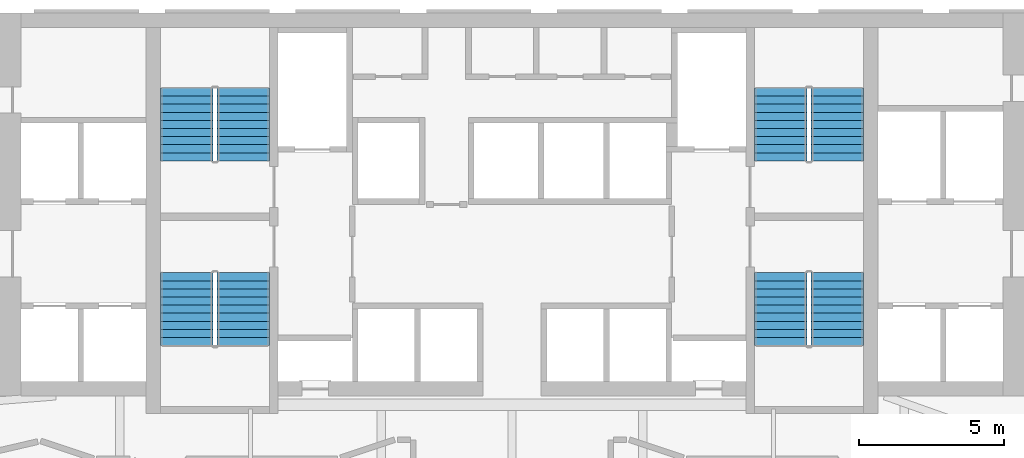
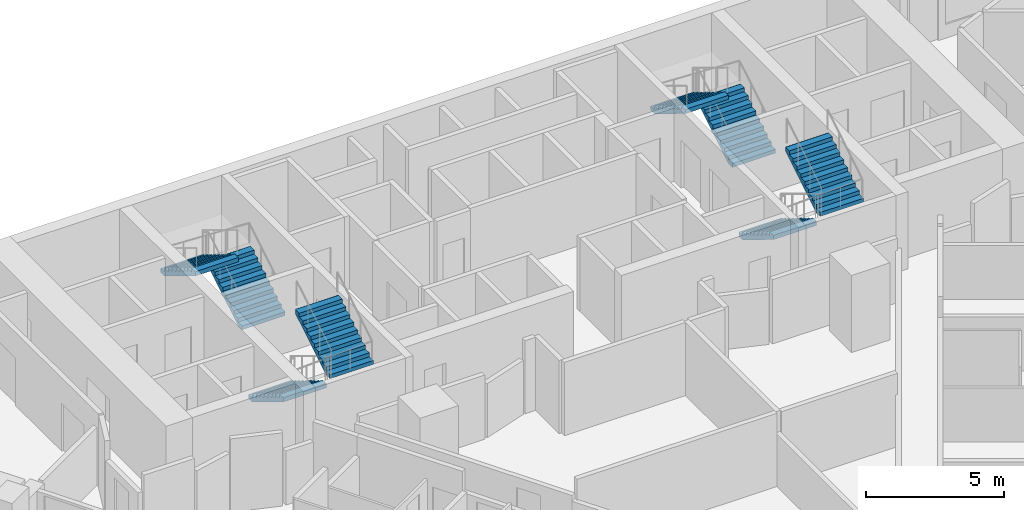
# One storey, part 10 of 11: 8 stair flights, 4 elements without a shape of their own.
"""IFC4 building model written with IfcOpenShell, lengths in metres."""

from ifc_helpers import new_model, si_unit, direction, frame, origin, place, context, subcontext, project, spatial, faceted_brep, source, transform, mapped, material, type_object, element, aggregate, save


model = new_model("IFC4")

# Units and contexts
model_context = context("Model", 3, precision=1e-05, world=origin(), true_north=direction((0.0, 1.0)))
body_context = subcontext(model_context, "Body", "Model", "MODEL_VIEW")
ifc_project = project(units=[si_unit("LENGTHUNIT", "METRE"), si_unit("AREAUNIT", "SQUARE_METRE"), si_unit("VOLUMEUNIT", "CUBIC_METRE"), si_unit("PLANEANGLEUNIT", "RADIAN"), si_unit("MASSUNIT", "GRAM", prefix="KILO")], contexts=[model_context])

# Site, building, storey
site_placement = place(None, origin())
site = spatial("IfcSite", under=ifc_project, at=site_placement, CompositionType="ELEMENT")
building_placement = place(site_placement, origin())
building = spatial("IfcBuilding", under=site, at=building_placement, Name="Calabash Gate Tower", CompositionType="ELEMENT")
storey_placement = place(building_placement, frame((0.0, 0.0, 49.39990234375)))
storey = spatial("IfcBuildingStorey", under=building, at=storey_placement, Name="L07", CompositionType="ELEMENT", Elevation=49.39990234375)

# Stair, stair flights
ifc_material_1 = material(Name="Concrete C40/50", Category="concrete")
stair_type = type_object("IfcStairType", Name="Exit stair 20 risers of 170 mm", PredefinedType="HALF_TURN_STAIR", material=ifc_material_1)
stair_1_placement = place(storey_placement, origin())
stair_1 = element("IfcStair", 1, at=stair_1_placement, inside=storey, type_object=stair_type, Name="L07 Exit stair ST1", PredefinedType="HALF_TURN_STAIR")
ifc_material_2 = material(Name="Concrete C40/50", Category="concrete")
stair_flight_type = type_object("IfcStairFlightType", Name="Exit stair flight SFL", PredefinedType="STRAIGHT", material=ifc_material_2)
shared_shape = source(origin(), body_context, "Body", "Brep", [
    faceted_brep([(-0.0009765625, -0.89990234375, 0.0), (0.2880859375, -0.89990234375, 0.0), (2.511962890625, -0.89990234375, 1.3544921875), (-0.0009765625, 0.89990234375, 0.0), (2.511962890625, 0.89990234375, 1.3544921875), (0.2880859375, 0.89990234375, 0.0), (2.511962890625, -0.89990234375, 1.5419921875), (2.510986328125, -0.89990234375, 1.5419921875), (2.510986328125, 0.89990234375, 1.5419921875), (2.511962890625, 0.89990234375, 1.5419921875), (2.510986328125, -0.89990234375, 1.530029296875), (2.510986328125, 0.89990234375, 1.530029296875), (2.23193359375, -0.89990234375, 1.530029296875), (2.23193359375, 0.89990234375, 1.530029296875), (2.23193359375, -0.89990234375, 1.360107421875), (2.23193359375, 0.89990234375, 1.360107421875), (1.952880859375, -0.89990234375, 1.360107421875), (1.952880859375, 0.89990234375, 1.360107421875), (1.952880859375, -0.89990234375, 1.18994140625), (1.952880859375, 0.89990234375, 1.18994140625), (1.674072265625, -0.89990234375, 1.18994140625), (1.674072265625, -0.89990234375, 1.02001953125), (1.674072265625, 0.89990234375, 1.02001953125), (1.674072265625, 0.89990234375, 1.18994140625), (1.39501953125, -0.89990234375, 1.02001953125), (1.39501953125, -0.89990234375, 0.85009765625), (1.39501953125, 0.89990234375, 0.85009765625), (1.39501953125, 0.89990234375, 1.02001953125), (1.115966796875, -0.89990234375, 0.85009765625), (1.115966796875, -0.89990234375, 0.679931640625), (1.115966796875, 0.89990234375, 0.679931640625), (1.115966796875, 0.89990234375, 0.85009765625), (0.8369140625, -0.89990234375, 0.679931640625), (0.8369140625, -0.89990234375, 0.510009765625), (0.8369140625, 0.89990234375, 0.510009765625), (0.8369140625, 0.89990234375, 0.679931640625), (0.55810546875, -0.89990234375, 0.510009765625), (0.55810546875, -0.89990234375, 0.340087890625), (0.55810546875, 0.89990234375, 0.340087890625), (0.55810546875, 0.89990234375, 0.510009765625), (0.279052734375, -0.89990234375, 0.340087890625), (0.279052734375, -0.89990234375, 0.169921875), (0.279052734375, 0.89990234375, 0.169921875), (0.279052734375, 0.89990234375, 0.340087890625), (-0.0009765625, -0.89990234375, 0.169921875), (-0.0009765625, 0.89990234375, 0.169921875), (0.2880859375, -0.360107421875, 0.0), (2.511962890625, -0.360107421875, 1.3544921875), (0.2880859375, -0.179931640625, 0.0), (2.511962890625, -0.179931640625, 1.3544921875), (0.2880859375, 0.0, 0.0), (2.511962890625, 0.0, 1.3544921875), (0.2880859375, 0.179931640625, 0.0), (2.511962890625, 0.179931640625, 1.3544921875), (0.2880859375, 0.360107421875, 0.0), (2.511962890625, 0.360107421875, 1.3544921875), (2.511962890625, -0.360107421875, 1.5419921875), (2.511962890625, -0.179931640625, 1.5419921875), (2.511962890625, 0.0, 1.5419921875), (2.511962890625, 0.179931640625, 1.5419921875), (2.511962890625, 0.360107421875, 1.5419921875), (2.510986328125, -0.360107421875, 1.5419921875), (2.510986328125, -0.179931640625, 1.5419921875), (2.510986328125, 0.0, 1.5419921875), (2.510986328125, 0.179931640625, 1.5419921875), (2.510986328125, 0.360107421875, 1.5419921875), (2.510986328125, -0.360107421875, 1.530029296875), (2.510986328125, -0.179931640625, 1.530029296875), (2.510986328125, 0.0, 1.530029296875), (2.510986328125, 0.179931640625, 1.530029296875), (2.510986328125, 0.360107421875, 1.530029296875), (2.23193359375, -0.360107421875, 1.530029296875), (2.23193359375, -0.179931640625, 1.530029296875), (2.23193359375, 0.0, 1.530029296875), (2.23193359375, 0.179931640625, 1.530029296875), (2.23193359375, 0.360107421875, 1.530029296875), (2.23193359375, -0.360107421875, 1.360107421875), (2.23193359375, -0.179931640625, 1.360107421875), (2.23193359375, 0.0, 1.360107421875), (2.23193359375, 0.179931640625, 1.360107421875), (2.23193359375, 0.360107421875, 1.360107421875), (1.952880859375, -0.360107421875, 1.360107421875), (1.952880859375, -0.179931640625, 1.360107421875), (1.952880859375, 0.0, 1.360107421875), (1.952880859375, 0.179931640625, 1.360107421875), (1.952880859375, 0.360107421875, 1.360107421875), (1.952880859375, -0.360107421875, 1.18994140625), (1.952880859375, -0.179931640625, 1.18994140625), (1.952880859375, 0.0, 1.18994140625), (1.952880859375, 0.179931640625, 1.18994140625), (1.952880859375, 0.360107421875, 1.18994140625), (1.674072265625, -0.360107421875, 1.18994140625), (1.674072265625, -0.179931640625, 1.18994140625), (1.674072265625, 0.0, 1.18994140625), (1.674072265625, 0.179931640625, 1.18994140625), (1.674072265625, 0.360107421875, 1.18994140625), (1.674072265625, -0.360107421875, 1.02001953125), (1.674072265625, -0.179931640625, 1.02001953125), (1.674072265625, 0.0, 1.02001953125), (1.674072265625, 0.179931640625, 1.02001953125), (1.674072265625, 0.360107421875, 1.02001953125), (1.39501953125, -0.360107421875, 1.02001953125), (1.39501953125, -0.179931640625, 1.02001953125), (1.39501953125, 0.0, 1.02001953125), (1.39501953125, 0.179931640625, 1.02001953125), (1.39501953125, 0.360107421875, 1.02001953125), (1.39501953125, -0.360107421875, 0.85009765625), (1.39501953125, -0.179931640625, 0.85009765625), (1.39501953125, 0.0, 0.85009765625), (1.39501953125, 0.179931640625, 0.85009765625), (1.39501953125, 0.360107421875, 0.85009765625), (1.115966796875, -0.360107421875, 0.85009765625), (1.115966796875, -0.179931640625, 0.85009765625), (1.115966796875, 0.0, 0.85009765625), (1.115966796875, 0.179931640625, 0.85009765625), (1.115966796875, 0.360107421875, 0.85009765625), (1.115966796875, -0.360107421875, 0.679931640625), (1.115966796875, -0.179931640625, 0.679931640625), (1.115966796875, 0.0, 0.679931640625), (1.115966796875, 0.179931640625, 0.679931640625), (1.115966796875, 0.360107421875, 0.679931640625), (0.8369140625, -0.360107421875, 0.679931640625), (0.8369140625, -0.179931640625, 0.679931640625), (0.8369140625, 0.0, 0.679931640625), (0.8369140625, 0.179931640625, 0.679931640625), (0.8369140625, 0.360107421875, 0.679931640625), (0.8369140625, -0.360107421875, 0.510009765625), (0.8369140625, -0.179931640625, 0.510009765625), (0.8369140625, 0.0, 0.510009765625), (0.8369140625, 0.179931640625, 0.510009765625), (0.8369140625, 0.360107421875, 0.510009765625), (0.55810546875, -0.360107421875, 0.510009765625), (0.55810546875, -0.179931640625, 0.510009765625), (0.55810546875, 0.0, 0.510009765625), (0.55810546875, 0.179931640625, 0.510009765625), (0.55810546875, 0.360107421875, 0.510009765625), (0.55810546875, -0.360107421875, 0.340087890625), (0.55810546875, -0.179931640625, 0.340087890625), (0.55810546875, 0.0, 0.340087890625), (0.55810546875, 0.179931640625, 0.340087890625), (0.55810546875, 0.360107421875, 0.340087890625), (0.279052734375, -0.360107421875, 0.340087890625), (0.279052734375, -0.179931640625, 0.340087890625), (0.279052734375, 0.0, 0.340087890625), (0.279052734375, 0.179931640625, 0.340087890625), (0.279052734375, 0.360107421875, 0.340087890625), (0.279052734375, -0.360107421875, 0.169921875), (0.279052734375, -0.179931640625, 0.169921875), (0.279052734375, 0.0, 0.169921875), (0.279052734375, 0.179931640625, 0.169921875), (0.279052734375, 0.360107421875, 0.169921875), (-0.0009765625, -0.360107421875, 0.169921875), (-0.0009765625, -0.179931640625, 0.169921875), (-0.0009765625, 0.0, 0.169921875), (-0.0009765625, 0.179931640625, 0.169921875), (-0.0009765625, 0.360107421875, 0.169921875), (-0.0009765625, -0.360107421875, 0.0), (-0.0009765625, -0.179931640625, 0.0), (-0.0009765625, 0.0, 0.0), (-0.0009765625, 0.179931640625, 0.0), (-0.0009765625, 0.360107421875, 0.0)], [[[0, 1, 2]], [[3, 4, 5]], [[2, 6, 7]], [[4, 8, 9]], [[2, 7, 10]], [[4, 11, 8]], [[2, 10, 12]], [[4, 13, 11]], [[2, 12, 14]], [[4, 15, 13]], [[2, 14, 16]], [[4, 17, 15]], [[2, 16, 18]], [[4, 19, 17]], [[18, 20, 21]], [[19, 22, 23]], [[2, 18, 21]], [[4, 22, 19]], [[21, 24, 25]], [[22, 26, 27]], [[2, 21, 25]], [[4, 26, 22]], [[25, 28, 29]], [[26, 30, 31]], [[2, 25, 29]], [[4, 30, 26]], [[29, 32, 33]], [[30, 34, 35]], [[2, 29, 33]], [[4, 34, 30]], [[33, 36, 37]], [[34, 38, 39]], [[2, 33, 37]], [[4, 38, 34]], [[37, 40, 41]], [[38, 42, 43]], [[2, 37, 41]], [[4, 42, 38]], [[0, 2, 41]], [[3, 42, 4]], [[41, 44, 0]], [[42, 3, 45]], [[1, 46, 2]], [[46, 47, 2]], [[46, 48, 47]], [[48, 49, 47]], [[48, 50, 49]], [[50, 51, 49]], [[50, 52, 53]], [[50, 53, 51]], [[52, 54, 55]], [[52, 55, 53]], [[54, 5, 4]], [[54, 4, 55]], [[2, 47, 6]], [[47, 56, 6]], [[47, 49, 56]], [[49, 57, 56]], [[49, 51, 57]], [[51, 58, 57]], [[51, 53, 59]], [[51, 59, 58]], [[53, 55, 60]], [[53, 60, 59]], [[55, 4, 9]], [[55, 9, 60]], [[6, 56, 7]], [[56, 61, 7]], [[56, 57, 61]], [[57, 62, 61]], [[57, 58, 62]], [[58, 63, 62]], [[58, 59, 64]], [[58, 64, 63]], [[59, 60, 65]], [[59, 65, 64]], [[60, 9, 8]], [[60, 8, 65]], [[7, 61, 10]], [[61, 66, 10]], [[61, 62, 66]], [[62, 67, 66]], [[62, 63, 67]], [[63, 68, 67]], [[63, 64, 69]], [[63, 69, 68]], [[64, 65, 70]], [[64, 70, 69]], [[65, 8, 11]], [[65, 11, 70]], [[10, 66, 12]], [[66, 71, 12]], [[66, 67, 71]], [[67, 72, 71]], [[67, 68, 72]], [[68, 73, 72]], [[68, 69, 74]], [[68, 74, 73]], [[69, 70, 75]], [[69, 75, 74]], [[70, 11, 13]], [[70, 13, 75]], [[12, 71, 14]], [[71, 76, 14]], [[71, 72, 76]], [[72, 77, 76]], [[72, 73, 77]], [[73, 78, 77]], [[73, 74, 79]], [[73, 79, 78]], [[74, 75, 80]], [[74, 80, 79]], [[75, 13, 15]], [[75, 15, 80]], [[14, 76, 16]], [[76, 81, 16]], [[76, 77, 81]], [[77, 82, 81]], [[77, 78, 82]], [[78, 83, 82]], [[78, 79, 84]], [[78, 84, 83]], [[79, 80, 85]], [[79, 85, 84]], [[80, 15, 17]], [[80, 17, 85]], [[16, 81, 18]], [[81, 86, 18]], [[81, 82, 86]], [[82, 87, 86]], [[82, 83, 87]], [[83, 88, 87]], [[83, 84, 89]], [[83, 89, 88]], [[84, 85, 90]], [[84, 90, 89]], [[85, 17, 19]], [[85, 19, 90]], [[18, 86, 20]], [[86, 91, 20]], [[86, 87, 91]], [[87, 92, 91]], [[87, 88, 92]], [[88, 93, 92]], [[88, 89, 94]], [[88, 94, 93]], [[89, 90, 95]], [[89, 95, 94]], [[90, 19, 23]], [[90, 23, 95]], [[20, 91, 21]], [[91, 96, 21]], [[91, 92, 96]], [[92, 97, 96]], [[92, 93, 97]], [[93, 98, 97]], [[93, 94, 99]], [[93, 99, 98]], [[94, 95, 100]], [[94, 100, 99]], [[95, 23, 22]], [[95, 22, 100]], [[21, 96, 24]], [[96, 101, 24]], [[96, 97, 101]], [[97, 102, 101]], [[97, 98, 102]], [[98, 103, 102]], [[98, 99, 104]], [[98, 104, 103]], [[99, 100, 105]], [[99, 105, 104]], [[100, 22, 27]], [[100, 27, 105]], [[24, 101, 25]], [[101, 106, 25]], [[101, 102, 106]], [[102, 107, 106]], [[102, 103, 107]], [[103, 108, 107]], [[103, 104, 109]], [[103, 109, 108]], [[104, 105, 110]], [[104, 110, 109]], [[105, 27, 26]], [[105, 26, 110]], [[25, 106, 28]], [[106, 111, 28]], [[106, 107, 111]], [[107, 112, 111]], [[107, 108, 112]], [[108, 113, 112]], [[108, 109, 114]], [[108, 114, 113]], [[109, 110, 115]], [[109, 115, 114]], [[110, 26, 31]], [[110, 31, 115]], [[28, 111, 29]], [[111, 116, 29]], [[111, 112, 116]], [[112, 117, 116]], [[112, 113, 117]], [[113, 118, 117]], [[113, 114, 119]], [[113, 119, 118]], [[114, 115, 120]], [[114, 120, 119]], [[115, 31, 30]], [[115, 30, 120]], [[29, 116, 32]], [[116, 121, 32]], [[116, 117, 121]], [[117, 122, 121]], [[117, 118, 122]], [[118, 123, 122]], [[118, 119, 124]], [[118, 124, 123]], [[119, 120, 125]], [[119, 125, 124]], [[120, 30, 35]], [[120, 35, 125]], [[32, 121, 33]], [[121, 126, 33]], [[121, 122, 126]], [[122, 127, 126]], [[122, 123, 127]], [[123, 128, 127]], [[123, 124, 129]], [[123, 129, 128]], [[124, 125, 130]], [[124, 130, 129]], [[125, 35, 34]], [[125, 34, 130]], [[33, 126, 36]], [[126, 131, 36]], [[126, 127, 131]], [[127, 132, 131]], [[127, 128, 132]], [[128, 133, 132]], [[128, 129, 134]], [[128, 134, 133]], [[129, 130, 135]], [[129, 135, 134]], [[130, 34, 39]], [[130, 39, 135]], [[36, 131, 37]], [[131, 136, 37]], [[131, 132, 136]], [[132, 137, 136]], [[132, 133, 137]], [[133, 138, 137]], [[133, 134, 139]], [[133, 139, 138]], [[134, 135, 140]], [[134, 140, 139]], [[135, 39, 38]], [[135, 38, 140]], [[37, 136, 40]], [[136, 141, 40]], [[136, 137, 141]], [[137, 142, 141]], [[137, 138, 142]], [[138, 143, 142]], [[138, 139, 144]], [[138, 144, 143]], [[139, 140, 145]], [[139, 145, 144]], [[140, 38, 43]], [[140, 43, 145]], [[40, 141, 41]], [[141, 146, 41]], [[141, 142, 146]], [[142, 147, 146]], [[142, 143, 147]], [[143, 148, 147]], [[143, 144, 149]], [[143, 149, 148]], [[144, 145, 150]], [[144, 150, 149]], [[145, 43, 42]], [[145, 42, 150]], [[41, 146, 44]], [[146, 151, 44]], [[146, 147, 151]], [[147, 152, 151]], [[147, 148, 152]], [[148, 153, 152]], [[148, 149, 154]], [[148, 154, 153]], [[149, 150, 155]], [[149, 155, 154]], [[150, 42, 45]], [[150, 45, 155]], [[44, 151, 0]], [[151, 156, 0]], [[151, 152, 156]], [[152, 157, 156]], [[152, 153, 157]], [[153, 158, 157]], [[153, 154, 159]], [[153, 159, 158]], [[154, 155, 160]], [[154, 160, 159]], [[155, 45, 3]], [[155, 3, 160]], [[0, 156, 1]], [[156, 46, 1]], [[156, 157, 46]], [[157, 48, 46]], [[157, 158, 48]], [[158, 50, 48]], [[158, 159, 52]], [[158, 52, 50]], [[159, 160, 54]], [[159, 54, 52]], [[160, 3, 5]], [[160, 5, 54]]]),
])
stair_flight_1_placement = place(storey_placement, frame((-9.25, 13.95263671875, 0.0), z_axis=(0.0, 0.0, 1.0), x_axis=(0.0, 1.0, 0.0)))
stair_flight_1 = element("IfcStairFlight", 2, at=stair_flight_1_placement, type_object=stair_flight_type, Name="ST1 flight 1", NumberOfRisers=10, NumberOfTreads=9, PredefinedType="STRAIGHT", RiserHeight=0.17, TreadLength=0.279, context=body_context, shape_type="MappedRepresentation", body=[
    mapped(shared_shape, transform((0.0, 0.0, 0.0), scale=1.0)),
])
stair_flight_2_placement = place(storey_placement, frame((-11.199951171875, 16.463623046875, 1.7001953125), z_axis=(0.0, 0.0, 1.0), x_axis=(0.0, -1.0, 0.0)))
stair_flight_2 = element("IfcStairFlight", 3, at=stair_flight_2_placement, type_object=stair_flight_type, Name="ST1 flight 2", NumberOfRisers=10, NumberOfTreads=9, PredefinedType="STRAIGHT", RiserHeight=0.17, TreadLength=0.279, context=body_context, shape_type="MappedRepresentation", body=[
    mapped(shared_shape, transform((0.0, 0.0, 0.0), scale=1.0)),
])
aggregate(stair_1, [stair_flight_1, stair_flight_2])

stair_2_placement = place(storey_placement, origin())
stair_2 = element("IfcStair", 4, at=stair_2_placement, inside=storey, type_object=stair_type, Name="L07 Exit stair ST2", PredefinedType="HALF_TURN_STAIR")
stair_flight_3_placement = place(storey_placement, frame((-11.199951171875, 10.1025390625, 0.0), z_axis=(0.0, 0.0, 1.0), x_axis=(0.0, -1.0, 0.0)))
stair_flight_3 = element("IfcStairFlight", 5, at=stair_flight_3_placement, type_object=stair_flight_type, Name="ST2 flight 1", NumberOfRisers=10, NumberOfTreads=9, PredefinedType="STRAIGHT", RiserHeight=0.17, TreadLength=0.279, context=body_context, shape_type="MappedRepresentation", body=[
    mapped(shared_shape, transform((0.0, 0.0, 0.0), scale=1.0)),
])
stair_flight_4_placement = place(storey_placement, frame((-9.25, 7.591552734375, 1.7001953125), z_axis=(0.0, 0.0, 1.0), x_axis=(0.0, 1.0, 0.0)))
stair_flight_4 = element("IfcStairFlight", 6, at=stair_flight_4_placement, type_object=stair_flight_type, Name="ST2 flight 2", NumberOfRisers=10, NumberOfTreads=9, PredefinedType="STRAIGHT", RiserHeight=0.17, TreadLength=0.279, context=body_context, shape_type="MappedRepresentation", body=[
    mapped(shared_shape, transform((0.0, 0.0, 0.0), scale=1.0)),
])
aggregate(stair_2, [stair_flight_3, stair_flight_4])

stair_3_placement = place(storey_placement, origin())
stair_3 = element("IfcStair", 7, at=stair_3_placement, inside=storey, type_object=stair_type, Name="L07 Exit stair ST3", PredefinedType="HALF_TURN_STAIR")
stair_flight_5_placement = place(storey_placement, frame((11.199951171875, 13.95263671875, 0.0), z_axis=(0.0, 0.0, 1.0), x_axis=(0.0, 1.0, 0.0)))
stair_flight_5 = element("IfcStairFlight", 8, at=stair_flight_5_placement, type_object=stair_flight_type, Name="ST3 flight 1", NumberOfRisers=10, NumberOfTreads=9, PredefinedType="STRAIGHT", RiserHeight=0.17, TreadLength=0.279, context=body_context, shape_type="MappedRepresentation", body=[
    mapped(shared_shape, transform((0.0, 0.0, 0.0), scale=1.0)),
])
stair_flight_6_placement = place(storey_placement, frame((9.25, 16.463623046875, 1.7001953125), z_axis=(0.0, 0.0, 1.0), x_axis=(0.0, -1.0, 0.0)))
stair_flight_6 = element("IfcStairFlight", 9, at=stair_flight_6_placement, type_object=stair_flight_type, Name="ST3 flight 2", NumberOfRisers=10, NumberOfTreads=9, PredefinedType="STRAIGHT", RiserHeight=0.17, TreadLength=0.279, context=body_context, shape_type="MappedRepresentation", body=[
    mapped(shared_shape, transform((0.0, 0.0, 0.0), scale=1.0)),
])
aggregate(stair_3, [stair_flight_5, stair_flight_6])

stair_4_placement = place(storey_placement, origin())
stair_4 = element("IfcStair", 10, at=stair_4_placement, inside=storey, type_object=stair_type, Name="L07 Exit stair ST4", PredefinedType="HALF_TURN_STAIR")
stair_flight_7_placement = place(storey_placement, frame((9.25, 10.1025390625, 0.0), z_axis=(0.0, 0.0, 1.0), x_axis=(0.0, -1.0, 0.0)))
stair_flight_7 = element("IfcStairFlight", 11, at=stair_flight_7_placement, type_object=stair_flight_type, Name="ST4 flight 1", NumberOfRisers=10, NumberOfTreads=9, PredefinedType="STRAIGHT", RiserHeight=0.17, TreadLength=0.279, context=body_context, shape_type="MappedRepresentation", body=[
    mapped(shared_shape, transform((0.0, 0.0, 0.0), scale=1.0)),
])
stair_flight_8_placement = place(storey_placement, frame((11.199951171875, 7.591552734375, 1.7001953125), z_axis=(0.0, 0.0, 1.0), x_axis=(0.0, 1.0, 0.0)))
stair_flight_8 = element("IfcStairFlight", 12, at=stair_flight_8_placement, type_object=stair_flight_type, Name="ST4 flight 2", NumberOfRisers=10, NumberOfTreads=9, PredefinedType="STRAIGHT", RiserHeight=0.17, TreadLength=0.279, context=body_context, shape_type="MappedRepresentation", body=[
    mapped(shared_shape, transform((0.0, 0.0, 0.0), scale=1.0)),
])
aggregate(stair_4, [stair_flight_7, stair_flight_8])

save(model, "model.ifc")
